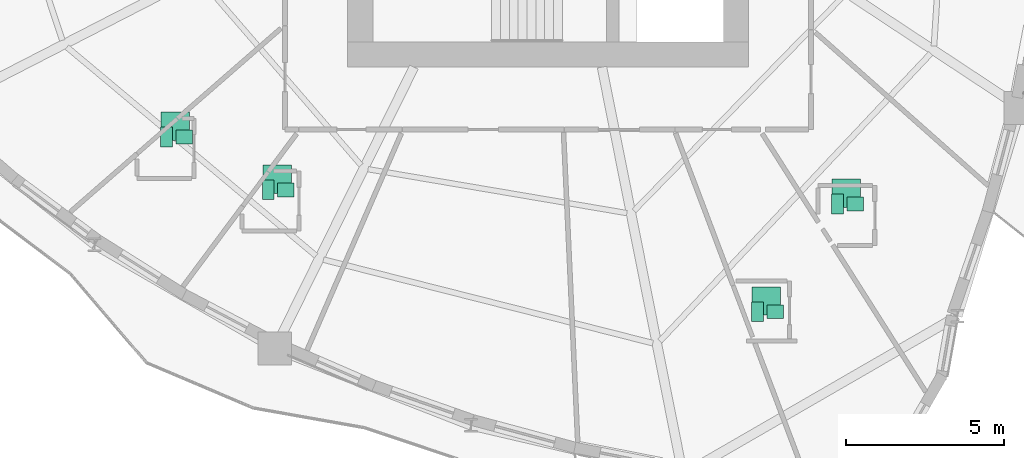
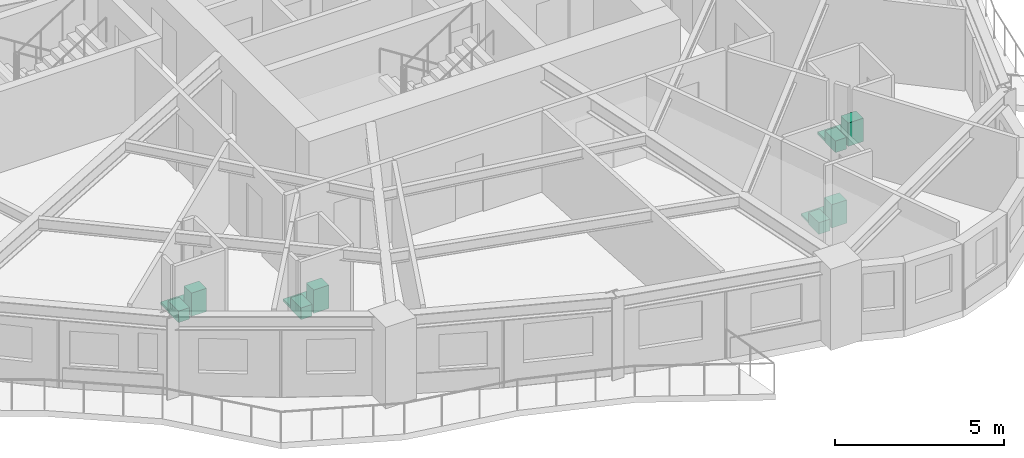
# One storey, part 14 of 14: 12 sanitary terminals.
"""IFC4 building model written with IfcOpenShell, lengths in metres."""

from ifc_helpers import new_model, si_unit, direction, frame, origin, origin_2d, place, context, subcontext, project, spatial, rectangle, extrude, source, transform, mapped, material, type_object, element, save


model = new_model("IFC4")

# Units and contexts
model_context = context("Model", 3, precision=1e-05, world=origin(), true_north=direction((0.0, 1.0)))
body_context = subcontext(model_context, "Body", "Model", "MODEL_VIEW")
ifc_project = project(units=[si_unit("LENGTHUNIT", "METRE"), si_unit("AREAUNIT", "SQUARE_METRE"), si_unit("VOLUMEUNIT", "CUBIC_METRE"), si_unit("PLANEANGLEUNIT", "RADIAN"), si_unit("MASSUNIT", "GRAM", prefix="KILO")], contexts=[model_context])

# Site, building, storey
site_placement = place(None, origin())
site = spatial("IfcSite", under=ifc_project, at=site_placement, CompositionType="ELEMENT")
building_placement = place(site_placement, origin())
building = spatial("IfcBuilding", under=site, at=building_placement, Name="Qafzar Sky-Pleat Residences", CompositionType="ELEMENT")
storey_placement = place(building_placement, frame((0.0, 0.0, 43.0)))
storey = spatial("IfcBuildingStorey", under=building, at=storey_placement, Name="L12", CompositionType="ELEMENT", Elevation=43.0)

# Sanitary terminals
ifc_material_1 = material(Name="Vitreous china sanitaryware")
sanitary_terminal_type_1 = type_object("IfcSanitaryTerminalType", Name="SAN-WC-PAN", PredefinedType="TOILETPAN", material=ifc_material_1)
shared_shape_1 = source(origin(), body_context, "Body", "SweptSolid", [
    extrude(rectangle(XDim=0.3798828125, YDim=0.6201171875, at=origin_2d()), origin(), (0.0, 0.0, 1.0), 0.419921875),
])
for number, where, z_axis, x_axis, name in (
    (1, (18.264892578125, 15.185302734375, 0.0), (0.0, 0.0, 1.0), (1.0, 0.0, 0.0), "L12 En-suite Bathroom 1 WC Pan"),
    (2, (21.485595703125, 13.51025390625, 0.0), (0.0, 0.0, 1.0), (1.0, 0.0, 0.0), "L12 En-suite Bathroom 2 WC Pan"),
    (3, (36.9794921875, 9.652099609375, 0.0), (0.0, 0.0, 1.0), (1.0, 0.0, 0.0), "L12 En-suite Bathroom 3 WC Pan"),
    (4, (39.51708984375, 13.06298828125, 0.0), (0.0, 0.0, 1.0), (1.0, 0.0, 0.0), "L12 En-suite Bathroom 4 WC Pan"),
):
    element("IfcSanitaryTerminal", number, at=place(storey_placement, frame(where, z_axis=z_axis, x_axis=x_axis)), inside=storey, type_object=sanitary_terminal_type_1, Name=name, PredefinedType="TOILETPAN", context=body_context, shape_type="MappedRepresentation", body=[
        mapped(shared_shape_1, transform((0.0, 0.0, 0.0), x_axis=(1.0, 0.0, 0.0), y_axis=(0.0, 1.0, 0.0), z_axis=(0.0, 0.0, 1.0), scale=1.0)),
    ])
sanitary_terminal_type_2 = type_object("IfcSanitaryTerminalType", Name="SAN-BASIN", PredefinedType="WASHHANDBASIN", material=ifc_material_1)
shared_shape_2 = source(origin(), body_context, "Body", "SweptSolid", [
    extrude(rectangle(XDim=0.52001953125, YDim=0.43994140625, at=origin_2d()), origin(), (0.0, 0.0, 1.0), 0.840087890625),
])
for number, where, z_axis, x_axis, name in (
    (5, (18.82470703125, 15.185302734375, 0.0), (0.0, 0.0, 1.0), (1.0, 0.0, 0.0), "L12 En-suite Bathroom 1 Pedestal Washbasin"),
    (6, (22.045654296875, 13.51025390625, 0.0), (0.0, 0.0, 1.0), (1.0, 0.0, 0.0), "L12 En-suite Bathroom 2 Pedestal Washbasin"),
    (7, (37.53955078125, 9.652099609375, 0.0), (0.0, 0.0, 1.0), (1.0, 0.0, 0.0), "L12 En-suite Bathroom 3 Pedestal Washbasin"),
    (8, (40.076904296875, 13.06298828125, 0.0), (0.0, 0.0, 1.0), (1.0, 0.0, 0.0), "L12 En-suite Bathroom 4 Pedestal Washbasin"),
):
    element("IfcSanitaryTerminal", number, at=place(storey_placement, frame(where, z_axis=z_axis, x_axis=x_axis)), inside=storey, type_object=sanitary_terminal_type_2, Name=name, PredefinedType="WASHHANDBASIN", context=body_context, shape_type="MappedRepresentation", body=[
        mapped(shared_shape_2, transform((0.0, 0.0, 0.0), x_axis=(1.0, 0.0, 0.0), y_axis=(0.0, 1.0, 0.0), z_axis=(0.0, 0.0, 1.0), scale=1.0)),
    ])
ifc_material_2 = material(Name="Vitreous china and acrylic tray")
sanitary_terminal_type_3 = type_object("IfcSanitaryTerminalType", Name="SAN-SHOWER", PredefinedType="SHOWER", material=ifc_material_2)
shared_shape_3 = source(origin(), body_context, "Body", "SweptSolid", [
    extrude(rectangle(XDim=0.89990234375, YDim=0.89990234375, at=origin_2d()), origin(), (0.0, 0.0, 1.0), 0.080078125),
])
for number, where, z_axis, x_axis, name in (
    (9, (18.544921875, 15.525390625, 0.0), (0.0, 0.0, 1.0), (1.0, 0.0, 0.0), "L12 En-suite Bathroom 1 Walk-In Shower"),
    (10, (21.765625, 13.85009765625, 0.0), (0.0, 0.0, 1.0), (1.0, 0.0, 0.0), "L12 En-suite Bathroom 2 Walk-In Shower"),
    (11, (37.259521484375, 9.9921875, 0.0), (0.0, 0.0, 1.0), (1.0, 0.0, 0.0), "L12 En-suite Bathroom 3 Walk-In Shower"),
    (12, (39.797119140625, 13.403076171875, 0.0), (0.0, 0.0, 1.0), (1.0, 0.0, 0.0), "L12 En-suite Bathroom 4 Walk-In Shower"),
):
    element("IfcSanitaryTerminal", number, at=place(storey_placement, frame(where, z_axis=z_axis, x_axis=x_axis)), inside=storey, type_object=sanitary_terminal_type_3, Name=name, PredefinedType="SHOWER", context=body_context, shape_type="MappedRepresentation", body=[
        mapped(shared_shape_3, transform((0.0, 0.0, 0.0), x_axis=(1.0, 0.0, 0.0), y_axis=(0.0, 1.0, 0.0), z_axis=(0.0, 0.0, 1.0), scale=1.0)),
    ])

save(model, "model.ifc")
